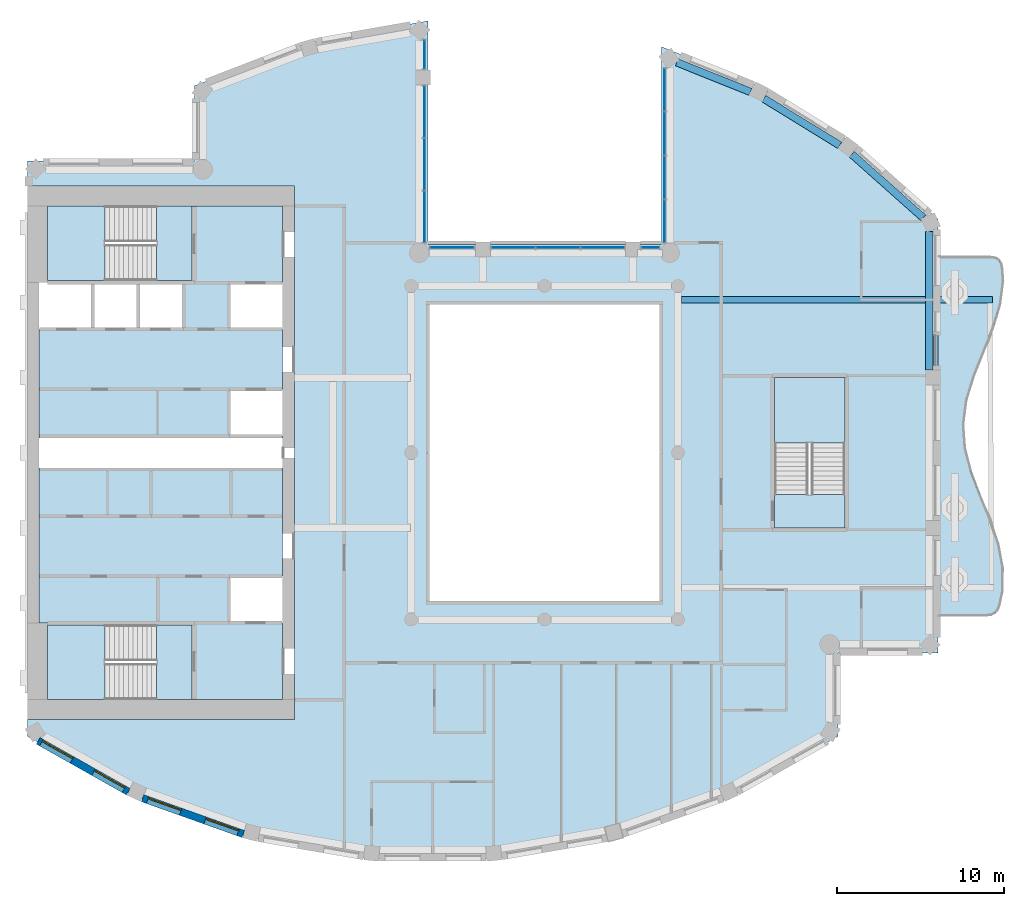
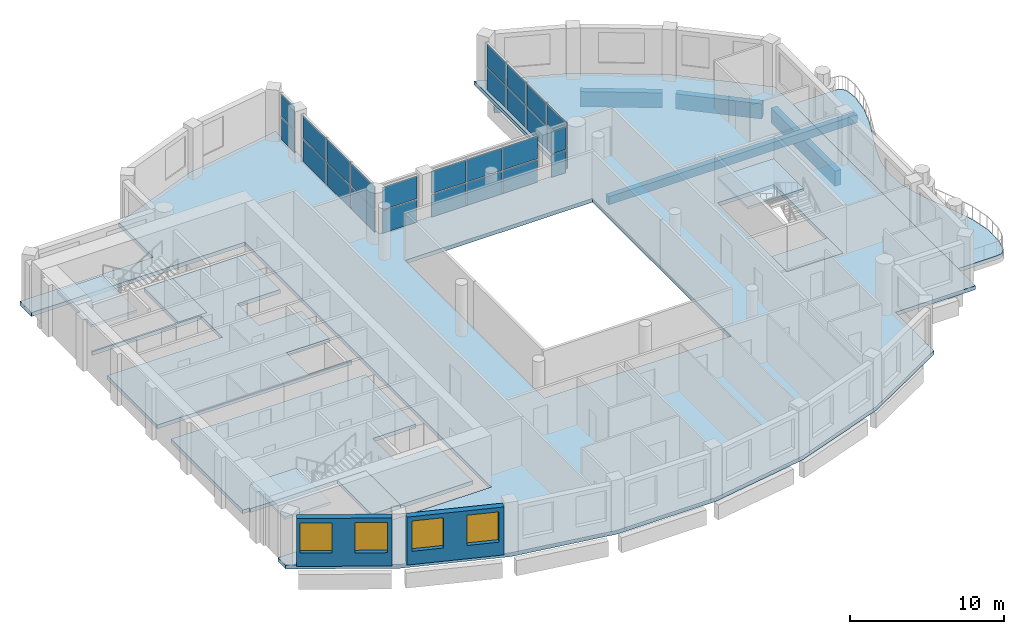
# One storey, part 3 of 15: 26 plates, 10 slabs, 5 beams, 4 windows, 2 walls, 4 openings, 9 elements without a shape of their own.
"""IFC4 building model written with IfcOpenShell, lengths in metres."""

from ifc_helpers import new_model, si_unit, direction, frame, frame_2d, origin, origin_2d, place, context, subcontext, project, spatial, polyline, rectangle, outline, extrude, material, layer, layer_set, material_profile, profile_set, type_object, element, fill, aggregate, save


model = new_model("IFC4")

# Units and contexts
model_context = context("Model", 3, precision=1e-05, world=origin(), true_north=direction((0.0, 1.0)))
body_context = subcontext(model_context, "Body", "Model", "MODEL_VIEW")
ifc_project = project(units=[si_unit("LENGTHUNIT", "METRE"), si_unit("AREAUNIT", "SQUARE_METRE"), si_unit("VOLUMEUNIT", "CUBIC_METRE"), si_unit("PLANEANGLEUNIT", "RADIAN"), si_unit("MASSUNIT", "GRAM", prefix="KILO")], contexts=[model_context])

# Site, building, storey
site_placement = place(None, origin())
site = spatial("IfcSite", under=ifc_project, at=site_placement, CompositionType="ELEMENT")
building_placement = place(site_placement, origin())
building = spatial("IfcBuilding", under=site, at=building_placement, Name="Cypress Arch Tower", CompositionType="ELEMENT")
storey_placement = place(building_placement, frame((0.0, 0.0, 317.199951171875)))
storey = spatial("IfcBuildingStorey", under=building, at=storey_placement, Name="L72", CompositionType="ELEMENT", Elevation=317.199951171875)

# Beams
ifc_material_1 = material(Name="Concrete C50/60", Category="concrete")
ifc_material_profile_1 = material_profile(ifc_material_1, rectangle(XDim=0.39990234375, YDim=0.64990234375, at=origin_2d()), Name="RC 400x650")
ifc_profile_set_1 = profile_set([ifc_material_profile_1], Name="Concrete C50/60")
beam_type_1 = type_object("IfcBeamType", Name="Cantilever beam RC 400x650 Concrete C50/60", PredefinedType="BEAM", material=ifc_profile_set_1)
beam_1_placement = place(storey_placement, frame((9.22509765625, 9.1826171875, -0.625), z_axis=(1.0, 0.0, 0.0), x_axis=(0.0, 1.0, 0.0)))
element("IfcBeam", 1, at=beam_1_placement, inside=storey, type_object=beam_type_1, Name="Cantilever beam L72 C17 2", PredefinedType="BEAM", context=body_context, shape_type="SweptSolid", body=[
    extrude(rectangle(XDim=0.39990234375, YDim=0.64990234375, at=origin_2d()), origin(), (0.0, 0.0, 1.0), 18.627197265625),
])
ifc_material_2 = material(Name="Concrete C50/60", Category="concrete")
ifc_material_profile_2 = material_profile(ifc_material_2, rectangle(XDim=0.449951171875, YDim=1.199951171875, at=origin_2d()), Name="RC 450x1200")
ifc_profile_set_2 = profile_set([ifc_material_profile_2], Name="Concrete C50/60")
beam_type_2 = type_object("IfcBeamType", Name="Spandrel beam RC 450x1200 Concrete C50/60", PredefinedType="SPANDREL", material=ifc_profile_set_2)
beam_2_placement = place(storey_placement, frame((24.074951171875, 4.949951171875, -1.550048828125), z_axis=(0.0, 1.0, 0.0), x_axis=(-1.0, 0.0, 0.0)))
element("IfcBeam", 2, at=beam_2_placement, inside=storey, type_object=beam_type_2, Name="Spandrel beam L72 BC17-2", PredefinedType="SPANDREL", context=body_context, shape_type="SweptSolid", body=[
    extrude(rectangle(XDim=0.449951171875, YDim=1.199951171875, at=origin_2d()), origin(), (0.0, 0.0, 1.0), 8.32080078125),
])
beam_3_placement = place(storey_placement, frame((23.706298828125, 14.091796875, -1.550048828125), z_axis=(-0.747555073917, 0.664199827959, 0.0), x_axis=(-0.664199827959, -0.747555073917, 0.0)))
element("IfcBeam", 3, at=beam_3_placement, inside=storey, type_object=beam_type_2, Name="Spandrel beam L72 BC18-0", PredefinedType="SPANDREL", context=body_context, shape_type="SweptSolid", body=[
    extrude(rectangle(XDim=0.449951171875, YDim=1.199951171875, at=origin_2d()), origin(), (0.0, 0.0, 1.0), 5.72900390625),
])
beam_4_placement = place(storey_placement, frame((18.700927734375, 18.43359375, -1.550048828125), z_axis=(-0.851880940975, 0.523735488966, 0.0), x_axis=(-0.523735488966, -0.851880940975, 0.0)))
element("IfcBeam", 4, at=beam_4_placement, inside=storey, type_object=beam_type_2, Name="Spandrel beam L72 BC19-0", PredefinedType="SPANDREL", context=body_context, shape_type="SweptSolid", body=[
    extrude(rectangle(XDim=0.449951171875, YDim=1.199951171875, at=origin_2d()), origin(), (0.0, 0.0, 1.0), 5.344970703125),
])
beam_5_placement = place(storey_placement, frame((13.343994140625, 21.6376953125, -1.550048828125), z_axis=(-0.927944947452, 0.372717284948, 0.0), x_axis=(-0.372717284948, -0.927944947452, 0.0)))
element("IfcBeam", 5, at=beam_5_placement, inside=storey, type_object=beam_type_2, Name="Spandrel beam L72 BC20-0", PredefinedType="SPANDREL", context=body_context, shape_type="SweptSolid", body=[
    extrude(rectangle(XDim=0.449951171875, YDim=1.199951171875, at=origin_2d()), origin(), (0.0, 0.0, 1.0), 4.758056640625),
])

# Slabs
ifc_material_3 = material(Name="Concrete C40/50", Category="concrete")
ifc_layer_1 = layer(ifc_material_3, 0.300048828125)
ifc_layer_set_1 = layer_set([ifc_layer_1], Name="Balcony slab BS300")
slab_type_1 = type_object("IfcSlabType", Name="Balcony slab BS300", PredefinedType="USERDEFINED", material=ifc_layer_set_1)
slab_1_placement = place(storey_placement, frame((0.0, 0.0, -0.300048828125)))
element("IfcSlab", 6, at=slab_1_placement, inside=storey, type_object=slab_type_1, Name="Balcony slab L72-C17", ObjectType="BALCONY SLAB", PredefinedType="USERDEFINED", context=body_context, shape_type="SweptSolid", body=[
    extrude(outline(polyline([(24.60009765625, -9.75), (27.4892578125, -9.75), (27.7861328125, -9.709716796875), (28.017822265625, -9.5888671875), (28.18408203125, -9.38720703125), (28.284912109375, -9.10498046875), (28.45166015625, -8.316650390625), (28.472412109375, -6.88330078125), (28.20556640625, -5.449951171875), (27.717041015625, -4.0166015625), (27.1259765625, -2.583251953125), (26.577880859375, -1.14990234375), (26.20654296875, 0.283447265625), (26.103515625, 1.716552734375), (26.293701171875, 3.14990234375), (26.73046875, 4.583251953125), (27.306884765625, 6.0166015625), (27.8818359375, 7.449951171875), (28.31396484375, 8.88330078125), (28.49755859375, 10.316650390625), (28.43701171875, 11.10498046875), (28.375, 11.38720703125), (28.23828125, 11.5888671875), (28.02685546875, 11.709716796875), (27.74072265625, 11.75), (24.60009765625, 11.75), (24.60009765625, -9.75)])), origin(), (0.0, 0.0, 1.0), 0.300048828125),
])
ifc_material_4 = material(Name="Concrete C40/50", Category="concrete")
ifc_layer_2 = layer(ifc_material_4, 0.300048828125)
ifc_layer_set_2 = layer_set([ifc_layer_2], Name="Core floor CF300")
slab_type_2 = type_object("IfcSlabType", Name="Core floor CF300", PredefinedType="FLOOR", material=ifc_layer_set_2)
slab_2_placement = place(storey_placement, frame((0.0, 0.0, -0.300048828125)))
element("IfcSlab", 7, at=slab_2_placement, inside=storey, type_object=slab_type_2, Name="Core floor", PredefinedType="FLOOR", context=body_context, shape_type="SweptSolid", body=[
    extrude(outline(polyline([(-28.89990234375, -10.199951171875), (-29.300048828125, -10.199951171875), (-29.300048828125, -0.89990234375), (-28.89990234375, -0.89990234375), (-15.10009765625, -0.89990234375), (-14.699951171875, -0.89990234375), (-14.699951171875, -7.39990234375), (-15.10009765625, -7.39990234375), (-17.919921875, -7.39990234375), (-17.919921875, -10.199951171875), (-15.10009765625, -10.199951171875), (-14.699951171875, -10.199951171875), (-14.699951171875, -14.800048828125), (-15.10009765625, -14.800048828125), (-20.125, -14.800048828125), (-20.125, -10.324951171875), (-22.27490234375, -10.324951171875), (-28.800048828125, -10.324951171875), (-28.800048828125, -10.199951171875), (-28.89990234375, -10.199951171875)])), origin(), (0.0, 0.0, 1.0), 0.300048828125),
])
slab_3_placement = place(storey_placement, frame((0.0, 0.0, -0.300048828125)))
element("IfcSlab", 8, at=slab_3_placement, inside=storey, type_object=slab_type_2, Name="Core floor", PredefinedType="FLOOR", context=body_context, shape_type="SweptSolid", body=[
    extrude(outline(polyline([(-22.27490234375, -10.324951171875), (-22.27490234375, -14.800048828125), (-20.125, -14.800048828125), (-20.125, -10.324951171875), (-22.27490234375, -10.324951171875)])), origin(), (0.0, 0.0, 1.0), 0.300048828125),
])
slab_4_placement = place(storey_placement, frame((0.0, 0.0, -0.300048828125)))
element("IfcSlab", 9, at=slab_4_placement, inside=storey, type_object=slab_type_2, Name="Core floor", PredefinedType="FLOOR", context=body_context, shape_type="SweptSolid", body=[
    extrude(outline(polyline([(-20.125, 14.800048828125), (-22.27490234375, 14.800048828125), (-22.27490234375, 10.324951171875), (-20.125, 10.324951171875), (-20.125, 14.800048828125)])), origin(), (0.0, 0.0, 1.0), 0.300048828125),
])
slab_5_placement = place(storey_placement, frame((0.0, 0.0, -0.300048828125)))
element("IfcSlab", 10, at=slab_5_placement, inside=storey, type_object=slab_type_2, Name="Stair floor landing", PredefinedType="FLOOR", context=body_context, shape_type="SweptSolid", body=[
    extrude(outline(polyline([(19.0, -4.5), (19.0, -2.5), (14.800048828125, -2.5), (14.800048828125, -4.5), (19.0, -4.5)])), origin(), (0.0, 0.0, 1.0), 0.300048828125),
])
slab_6_placement = place(storey_placement, frame((0.0, 0.0, -0.300048828125)))
element("IfcSlab", 11, at=slab_6_placement, inside=storey, type_object=slab_type_2, Name="Core floor", PredefinedType="FLOOR", context=body_context, shape_type="SweptSolid", body=[
    extrude(outline(polyline([(-20.639892578125, 10.199951171875), (-23.360107421875, 10.199951171875), (-26.080078125, 10.199951171875), (-28.800048828125, 10.199951171875), (-28.800048828125, 10.324951171875), (-22.27490234375, 10.324951171875), (-20.125, 10.324951171875), (-20.125, 14.800048828125), (-15.10009765625, 14.800048828125), (-14.699951171875, 14.800048828125), (-14.699951171875, 10.199951171875), (-15.10009765625, 10.199951171875), (-17.919921875, 10.199951171875), (-17.919921875, 7.39990234375), (-15.10009765625, 7.39990234375), (-14.699951171875, 7.39990234375), (-14.699951171875, 3.800048828125), (-15.10009765625, 3.800048828125), (-17.919921875, 3.800048828125), (-17.919921875, 1.5), (-17.919921875, 1.0), (-17.5, 1.0), (-15.10009765625, 1.0), (-14.699951171875, 1.0), (-14.699951171875, 0.89990234375), (-15.10009765625, 0.89990234375), (-17.5, 0.89990234375), (-18.300048828125, 0.89990234375), (-28.89990234375, 0.89990234375), (-29.300048828125, 0.89990234375), (-29.300048828125, 1.5), (-29.300048828125, 7.39990234375), (-28.89990234375, 7.39990234375), (-26.080078125, 7.39990234375), (-23.360107421875, 7.39990234375), (-20.639892578125, 7.39990234375), (-20.639892578125, 10.199951171875)])), origin(), (0.0, 0.0, 1.0), 0.300048828125),
])

# Curtain wall, plates
ifc_material_5 = material(Name="Anodised aluminium, bronze finish, clear laminated double glazing", Category="aluminium")
curtain_wall_type = type_object("IfcCurtainWallType", Name="Curtain wall CW7 slot glazing", PredefinedType="NOTDEFINED", material=ifc_material_5)
curtain_wall_1_placement = place(storey_placement, origin())
curtain_wall_1 = element("IfcCurtainWall", 12, at=curtain_wall_1_placement, inside=storey, type_object=curtain_wall_type, Name="Curtain wall L72 slot C00.0", PredefinedType="NOTDEFINED")
ifc_material_6 = material(Name="Clear laminated double glazing", Category="glass")
ifc_layer_3 = layer(ifc_material_6, 0.0439453125)
ifc_layer_set_3 = layer_set([ifc_layer_3], Name="Glass panel CW7 44")
plate_type = type_object("IfcPlateType", Name="Glass panel CW7 44", PredefinedType="CURTAIN_PANEL", material=ifc_layer_set_3)
plate_1_placement = place(storey_placement, frame((8.199951171875, 21.76220703125, 0.0849609375), z_axis=(0.0, 0.0, 1.0), x_axis=(0.0, -1.0, 0.0)))
plate_1 = element("IfcPlate", 13, at=plate_1_placement, type_object=plate_type, Name="CW7 panel 1.1", PredefinedType="CURTAIN_PANEL", context=body_context, shape_type="SweptSolid", body=[
    extrude(rectangle(XDim=2.510986328125, YDim=0.0439453125, at=origin_2d()), origin(), (0.0, 0.0, 1.0), 1.7724609375),
])
plate_2_placement = place(storey_placement, frame((8.199951171875, 21.76220703125, 1.942626953125), z_axis=(0.0, 0.0, 1.0), x_axis=(0.0, -1.0, 0.0)))
plate_2 = element("IfcPlate", 14, at=plate_2_placement, type_object=plate_type, Name="CW7 panel 1.2", PredefinedType="CURTAIN_PANEL", context=body_context, shape_type="SweptSolid", body=[
    extrude(rectangle(XDim=2.510986328125, YDim=0.0439453125, at=origin_2d()), origin(), (0.0, 0.0, 1.0), 1.7724609375),
])
plate_3_placement = place(storey_placement, frame((8.199951171875, 19.144775390625, 0.0849609375), z_axis=(0.0, 0.0, 1.0), x_axis=(0.0, -1.0, 0.0)))
plate_3 = element("IfcPlate", 15, at=plate_3_placement, type_object=plate_type, Name="CW7 panel 2.1", PredefinedType="CURTAIN_PANEL", context=body_context, shape_type="SweptSolid", body=[
    extrude(rectangle(XDim=2.553466796875, YDim=0.0439453125, at=origin_2d()), origin(), (0.0, 0.0, 1.0), 1.7724609375),
])
plate_4_placement = place(storey_placement, frame((8.199951171875, 19.144775390625, 1.942626953125), z_axis=(0.0, 0.0, 1.0), x_axis=(0.0, -1.0, 0.0)))
plate_4 = element("IfcPlate", 16, at=plate_4_placement, type_object=plate_type, Name="CW7 panel 2.2", PredefinedType="CURTAIN_PANEL", context=body_context, shape_type="SweptSolid", body=[
    extrude(rectangle(XDim=2.553466796875, YDim=0.0439453125, at=origin_2d()), origin(), (0.0, 0.0, 1.0), 1.7724609375),
])
plate_5_placement = place(storey_placement, frame((8.199951171875, 16.50634765625, 0.0849609375), z_axis=(0.0, 0.0, 1.0), x_axis=(0.0, -1.0, 0.0)))
plate_5 = element("IfcPlate", 17, at=plate_5_placement, type_object=plate_type, Name="CW7 panel 3.1", PredefinedType="CURTAIN_PANEL", context=body_context, shape_type="SweptSolid", body=[
    extrude(rectangle(XDim=2.553466796875, YDim=0.0439453125, at=origin_2d()), origin(), (0.0, 0.0, 1.0), 1.7724609375),
])
plate_6_placement = place(storey_placement, frame((8.199951171875, 16.50634765625, 1.942626953125), z_axis=(0.0, 0.0, 1.0), x_axis=(0.0, -1.0, 0.0)))
plate_6 = element("IfcPlate", 18, at=plate_6_placement, type_object=plate_type, Name="CW7 panel 3.2", PredefinedType="CURTAIN_PANEL", context=body_context, shape_type="SweptSolid", body=[
    extrude(rectangle(XDim=2.553466796875, YDim=0.0439453125, at=origin_2d()), origin(), (0.0, 0.0, 1.0), 1.7724609375),
])
plate_7_placement = place(storey_placement, frame((8.199951171875, 13.888916015625, 0.0849609375), z_axis=(0.0, 0.0, 1.0), x_axis=(0.0, -1.0, 0.0)))
plate_7 = element("IfcPlate", 19, at=plate_7_placement, type_object=plate_type, Name="CW7 panel 4.1", PredefinedType="CURTAIN_PANEL", context=body_context, shape_type="SweptSolid", body=[
    extrude(rectangle(XDim=2.510986328125, YDim=0.0439453125, at=origin_2d()), origin(), (0.0, 0.0, 1.0), 1.7724609375),
])
plate_8_placement = place(storey_placement, frame((8.199951171875, 13.888916015625, 1.942626953125), z_axis=(0.0, 0.0, 1.0), x_axis=(0.0, -1.0, 0.0)))
plate_8 = element("IfcPlate", 20, at=plate_8_placement, type_object=plate_type, Name="CW7 panel 4.2", PredefinedType="CURTAIN_PANEL", context=body_context, shape_type="SweptSolid", body=[
    extrude(rectangle(XDim=2.510986328125, YDim=0.0439453125, at=origin_2d()), origin(), (0.0, 0.0, 1.0), 1.7724609375),
])
aggregate(curtain_wall_1, [plate_1, plate_2, plate_3, plate_4, plate_5, plate_6, plate_7, plate_8])

curtain_wall_2_placement = place(storey_placement, origin())
curtain_wall_2 = element("IfcCurtainWall", 21, at=curtain_wall_2_placement, inside=storey, type_object=curtain_wall_type, Name="Curtain wall L72 slot C01.0", PredefinedType="NOTDEFINED")
plate_9_placement = place(storey_placement, frame((7.350830078125, 12.300048828125, 0.0849609375), z_axis=(0.0, 0.0, 1.0), x_axis=(-1.0, 0.0, 0.0)))
plate_9 = element("IfcPlate", 22, at=plate_9_placement, type_object=plate_type, Name="CW7 panel 1.1", PredefinedType="CURTAIN_PANEL", context=body_context, shape_type="SweptSolid", body=[
    extrude(rectangle(XDim=1.031494140625, YDim=0.0439453125, at=origin_2d()), origin(), (0.0, 0.0, 1.0), 1.7724609375),
])
plate_10_placement = place(storey_placement, frame((7.350830078125, 12.300048828125, 1.942626953125), z_axis=(0.0, 0.0, 1.0), x_axis=(-1.0, 0.0, 0.0)))
plate_10 = element("IfcPlate", 23, at=plate_10_placement, type_object=plate_type, Name="CW7 panel 1.2", PredefinedType="CURTAIN_PANEL", context=body_context, shape_type="SweptSolid", body=[
    extrude(rectangle(XDim=1.031494140625, YDim=0.0439453125, at=origin_2d()), origin(), (0.0, 0.0, 1.0), 1.7724609375),
])
aggregate(curtain_wall_2, [plate_9, plate_10])

curtain_wall_3_placement = place(storey_placement, origin())
curtain_wall_3 = element("IfcCurtainWall", 24, at=curtain_wall_3_placement, inside=storey, type_object=curtain_wall_type, Name="Curtain wall L72 slot C01.1", PredefinedType="NOTDEFINED")
plate_11_placement = place(storey_placement, frame((4.478759765625, 12.300048828125, 0.0849609375), z_axis=(0.0, 0.0, 1.0), x_axis=(-1.0, 0.0, 0.0)))
plate_11 = element("IfcPlate", 25, at=plate_11_placement, type_object=plate_type, Name="CW7 panel 1.1", PredefinedType="CURTAIN_PANEL", context=body_context, shape_type="SweptSolid", body=[
    extrude(rectangle(XDim=2.572509765625, YDim=0.0439453125, at=origin_2d()), origin(), (0.0, 0.0, 1.0), 1.7724609375),
])
plate_12_placement = place(storey_placement, frame((4.478759765625, 12.300048828125, 1.942626953125), z_axis=(0.0, 0.0, 1.0), x_axis=(-1.0, 0.0, 0.0)))
plate_12 = element("IfcPlate", 26, at=plate_12_placement, type_object=plate_type, Name="CW7 panel 1.2", PredefinedType="CURTAIN_PANEL", context=body_context, shape_type="SweptSolid", body=[
    extrude(rectangle(XDim=2.572509765625, YDim=0.0439453125, at=origin_2d()), origin(), (0.0, 0.0, 1.0), 1.7724609375),
])
plate_13_placement = place(storey_placement, frame((1.800048828125, 12.300048828125, 0.0849609375), z_axis=(0.0, 0.0, 1.0), x_axis=(-1.0, 0.0, 0.0)))
plate_13 = element("IfcPlate", 27, at=plate_13_placement, type_object=plate_type, Name="CW7 panel 2.1", PredefinedType="CURTAIN_PANEL", context=body_context, shape_type="SweptSolid", body=[
    extrude(rectangle(XDim=2.614990234375, YDim=0.0439453125, at=origin_2d()), origin(), (0.0, 0.0, 1.0), 1.7724609375),
])
plate_14_placement = place(storey_placement, frame((1.800048828125, 12.300048828125, 1.942626953125), z_axis=(0.0, 0.0, 1.0), x_axis=(-1.0, 0.0, 0.0)))
plate_14 = element("IfcPlate", 28, at=plate_14_placement, type_object=plate_type, Name="CW7 panel 2.2", PredefinedType="CURTAIN_PANEL", context=body_context, shape_type="SweptSolid", body=[
    extrude(rectangle(XDim=2.614990234375, YDim=0.0439453125, at=origin_2d()), origin(), (0.0, 0.0, 1.0), 1.7724609375),
])
plate_15_placement = place(storey_placement, frame((-0.878662109375, 12.300048828125, 0.0849609375), z_axis=(0.0, 0.0, 1.0), x_axis=(-1.0, 0.0, 0.0)))
plate_15 = element("IfcPlate", 29, at=plate_15_placement, type_object=plate_type, Name="CW7 panel 3.1", PredefinedType="CURTAIN_PANEL", context=body_context, shape_type="SweptSolid", body=[
    extrude(rectangle(XDim=2.572509765625, YDim=0.0439453125, at=origin_2d()), origin(), (0.0, 0.0, 1.0), 1.7724609375),
])
plate_16_placement = place(storey_placement, frame((-0.878662109375, 12.300048828125, 1.942626953125), z_axis=(0.0, 0.0, 1.0), x_axis=(-1.0, 0.0, 0.0)))
plate_16 = element("IfcPlate", 30, at=plate_16_placement, type_object=plate_type, Name="CW7 panel 3.2", PredefinedType="CURTAIN_PANEL", context=body_context, shape_type="SweptSolid", body=[
    extrude(rectangle(XDim=2.572509765625, YDim=0.0439453125, at=origin_2d()), origin(), (0.0, 0.0, 1.0), 1.7724609375),
])
aggregate(curtain_wall_3, [plate_11, plate_12, plate_13, plate_14, plate_15, plate_16])

curtain_wall_4_placement = place(storey_placement, origin())
curtain_wall_4 = element("IfcCurtainWall", 31, at=curtain_wall_4_placement, inside=storey, type_object=curtain_wall_type, Name="Curtain wall L72 slot C01.2", PredefinedType="NOTDEFINED")
plate_17_placement = place(storey_placement, frame((-4.55078125, 12.300048828125, 0.0849609375), z_axis=(0.0, 0.0, 1.0), x_axis=(-1.0, 0.0, 0.0)))
plate_17 = element("IfcPlate", 32, at=plate_17_placement, type_object=plate_type, Name="CW7 panel 1.1", PredefinedType="CURTAIN_PANEL", context=body_context, shape_type="SweptSolid", body=[
    extrude(rectangle(XDim=2.631591796875, YDim=0.0439453125, at=origin_2d()), origin(), (0.0, 0.0, 1.0), 1.7724609375),
])
plate_18_placement = place(storey_placement, frame((-4.55078125, 12.300048828125, 1.942626953125), z_axis=(0.0, 0.0, 1.0), x_axis=(-1.0, 0.0, 0.0)))
plate_18 = element("IfcPlate", 33, at=plate_18_placement, type_object=plate_type, Name="CW7 panel 1.2", PredefinedType="CURTAIN_PANEL", context=body_context, shape_type="SweptSolid", body=[
    extrude(rectangle(XDim=2.631591796875, YDim=0.0439453125, at=origin_2d()), origin(), (0.0, 0.0, 1.0), 1.7724609375),
])
aggregate(curtain_wall_4, [plate_17, plate_18])

curtain_wall_5_placement = place(storey_placement, origin())
curtain_wall_5 = element("IfcCurtainWall", 34, at=curtain_wall_5_placement, inside=storey, type_object=curtain_wall_type, Name="Curtain wall L72 slot C02.0", PredefinedType="NOTDEFINED")
plate_19_placement = place(storey_placement, frame((-6.199951171875, 14.1533203125, 0.0849609375), z_axis=(0.0, 0.0, 1.0), x_axis=(0.0, 1.0, 0.0)))
plate_19 = element("IfcPlate", 35, at=plate_19_placement, type_object=plate_type, Name="CW7 panel 1.1", PredefinedType="CURTAIN_PANEL", context=body_context, shape_type="SweptSolid", body=[
    extrude(rectangle(XDim=3.039794921875, YDim=0.0439453125, at=origin_2d()), origin(), (0.0, 0.0, 1.0), 1.7724609375),
])
plate_20_placement = place(storey_placement, frame((-6.199951171875, 14.1533203125, 1.942626953125), z_axis=(0.0, 0.0, 1.0), x_axis=(0.0, 1.0, 0.0)))
plate_20 = element("IfcPlate", 36, at=plate_20_placement, type_object=plate_type, Name="CW7 panel 1.2", PredefinedType="CURTAIN_PANEL", context=body_context, shape_type="SweptSolid", body=[
    extrude(rectangle(XDim=3.039794921875, YDim=0.0439453125, at=origin_2d()), origin(), (0.0, 0.0, 1.0), 1.7724609375),
])
plate_21_placement = place(storey_placement, frame((-6.199951171875, 17.29931640625, 0.0849609375), z_axis=(0.0, 0.0, 1.0), x_axis=(0.0, 1.0, 0.0)))
plate_21 = element("IfcPlate", 37, at=plate_21_placement, type_object=plate_type, Name="CW7 panel 2.1", PredefinedType="CURTAIN_PANEL", context=body_context, shape_type="SweptSolid", body=[
    extrude(rectangle(XDim=3.082275390625, YDim=0.0439453125, at=origin_2d()), origin(), (0.0, 0.0, 1.0), 1.7724609375),
])
plate_22_placement = place(storey_placement, frame((-6.199951171875, 17.29931640625, 1.942626953125), z_axis=(0.0, 0.0, 1.0), x_axis=(0.0, 1.0, 0.0)))
plate_22 = element("IfcPlate", 38, at=plate_22_placement, type_object=plate_type, Name="CW7 panel 2.2", PredefinedType="CURTAIN_PANEL", context=body_context, shape_type="SweptSolid", body=[
    extrude(rectangle(XDim=3.082275390625, YDim=0.0439453125, at=origin_2d()), origin(), (0.0, 0.0, 1.0), 1.7724609375),
])
plate_23_placement = place(storey_placement, frame((-6.199951171875, 20.445068359375, 0.0849609375), z_axis=(0.0, 0.0, 1.0), x_axis=(0.0, 1.0, 0.0)))
plate_23 = element("IfcPlate", 39, at=plate_23_placement, type_object=plate_type, Name="CW7 panel 3.1", PredefinedType="CURTAIN_PANEL", context=body_context, shape_type="SweptSolid", body=[
    extrude(rectangle(XDim=3.039794921875, YDim=0.0439453125, at=origin_2d()), origin(), (0.0, 0.0, 1.0), 1.7724609375),
])
plate_24_placement = place(storey_placement, frame((-6.199951171875, 20.445068359375, 1.942626953125), z_axis=(0.0, 0.0, 1.0), x_axis=(0.0, 1.0, 0.0)))
plate_24 = element("IfcPlate", 40, at=plate_24_placement, type_object=plate_type, Name="CW7 panel 3.2", PredefinedType="CURTAIN_PANEL", context=body_context, shape_type="SweptSolid", body=[
    extrude(rectangle(XDim=3.039794921875, YDim=0.0439453125, at=origin_2d()), origin(), (0.0, 0.0, 1.0), 1.7724609375),
])
aggregate(curtain_wall_5, [plate_19, plate_20, plate_21, plate_22, plate_23, plate_24])

curtain_wall_6_placement = place(storey_placement, origin())
curtain_wall_6 = element("IfcCurtainWall", 41, at=curtain_wall_6_placement, inside=storey, type_object=curtain_wall_type, Name="Curtain wall L72 slot C02.1", PredefinedType="NOTDEFINED")
plate_25_placement = place(storey_placement, frame((-6.199951171875, 23.89111328125, 0.0849609375), z_axis=(0.0, 0.0, 1.0), x_axis=(0.0, 1.0, 0.0)))
plate_25 = element("IfcPlate", 42, at=plate_25_placement, type_object=plate_type, Name="CW7 panel 1.1", PredefinedType="CURTAIN_PANEL", context=body_context, shape_type="SweptSolid", body=[
    extrude(rectangle(XDim=1.71240234375, YDim=0.0439453125, at=origin_2d()), origin(), (0.0, 0.0, 1.0), 1.7724609375),
])
plate_26_placement = place(storey_placement, frame((-6.199951171875, 23.89111328125, 1.942626953125), z_axis=(0.0, 0.0, 1.0), x_axis=(0.0, 1.0, 0.0)))
plate_26 = element("IfcPlate", 43, at=plate_26_placement, type_object=plate_type, Name="CW7 panel 1.2", PredefinedType="CURTAIN_PANEL", context=body_context, shape_type="SweptSolid", body=[
    extrude(rectangle(XDim=1.71240234375, YDim=0.0439453125, at=origin_2d()), origin(), (0.0, 0.0, 1.0), 1.7724609375),
])
aggregate(curtain_wall_6, [plate_25, plate_26])

# Slab
ifc_material_7 = material(Name="Concrete C40/50", Category="concrete")
ifc_layer_4 = layer(ifc_material_7, 0.300048828125)
ifc_layer_set_4 = layer_set([ifc_layer_4], Name="PT flat slab 300 Concrete C40/50")
slab_type_3 = type_object("IfcSlabType", Name="PT flat slab 300 Concrete C40/50", PredefinedType="FLOOR", material=ifc_layer_set_4)
slab_7_placement = place(storey_placement, frame((0.0, 0.0, -0.300048828125)))
element("IfcSlab", 44, at=slab_7_placement, inside=storey, type_object=slab_type_3, Name="Floor slab L72", PredefinedType="FLOOR", context=body_context, shape_type="SweptSolid", body=[
    extrude(outline(polyline([(-30.0, 17.5), (-20.0, 17.5), (-20.0, 22.0), (-13.199951171875, 24.6201171875), (-6.0, 25.889892578125), (-6.0, 12.5), (8.0, 12.5), (8.0, 24.35009765625), (14.0, 21.93994140625), (19.39990234375, 18.6201171875), (24.60009765625, 14.0), (24.60009765625, -12.0), (18.60009765625, -12.0), (18.60009765625, -17.0), (12.179931640625, -20.6201171875), (5.239990234375, -23.090087890625), (-2.02001953125, -24.340087890625), (-9.3798828125, -24.340087890625), (-16.639892578125, -23.090087890625), (-23.580078125, -20.6201171875), (-30.0, -17.0), (-30.0, -16.0), (-14.0, -16.0), (-14.0, 16.0), (-30.0, 16.0), (-30.0, 17.5)]), holes=[polyline([(-6.0, -9.0), (8.0, -9.0), (8.0, 9.0), (-6.0, 9.0), (-6.0, -9.0)]), polyline([(14.800048828125, -4.5), (19.0, -4.5), (19.0, 4.5), (14.800048828125, 4.5), (14.800048828125, -4.5)])]), origin(), (0.0, 0.0, 1.0), 0.300048828125),
])

# Stair, slab
ifc_material_8 = material(Name="Concrete C40/50", Category="concrete")
stair_type_1 = type_object("IfcStairType", Name="Exit stair ES1708-215", PredefinedType="HALF_TURN_STAIR", material=ifc_material_8)
stair_1_placement = place(storey_placement, origin())
stair_1 = element("IfcStair", 45, at=stair_1_placement, inside=storey, type_object=stair_type_1, Name="L72 Exit stair A", PredefinedType="HALF_TURN_STAIR")
ifc_material_9 = material(Name="Concrete C40/50", Category="concrete")
ifc_layer_5 = layer(ifc_material_9, 0.199951171875)
ifc_layer_set_5 = layer_set([ifc_layer_5], Name="Stair landing SL200")
slab_type_4 = type_object("IfcSlabType", Name="Stair landing SL200", PredefinedType="LANDING", material=ifc_layer_set_5)
slab_8_placement = place(storey_placement, frame((0.0, 0.0, 1.85009765625)))
slab_8 = element("IfcSlab", 46, at=slab_8_placement, type_object=slab_type_4, Name="A landing 1", PredefinedType="LANDING", context=body_context, shape_type="SweptSolid", body=[
    extrude(outline(polyline([(-25.35498046875, -10.324951171875), (-28.800048828125, -10.324951171875), (-28.800048828125, -14.800048828125), (-25.35498046875, -14.800048828125), (-25.35498046875, -10.324951171875)])), origin(), (0.0, 0.0, 1.0), 0.199951171875),
])
aggregate(stair_1, [slab_8])

stair_2_placement = place(storey_placement, origin())
stair_2 = element("IfcStair", 47, at=stair_2_placement, inside=storey, type_object=stair_type_1, Name="L72 Exit stair B", PredefinedType="HALF_TURN_STAIR")
slab_9_placement = place(storey_placement, frame((0.0, 0.0, 1.85009765625)))
slab_9 = element("IfcSlab", 48, at=slab_9_placement, type_object=slab_type_4, Name="B landing 1", PredefinedType="LANDING", context=body_context, shape_type="SweptSolid", body=[
    extrude(outline(polyline([(-25.35498046875, 14.800048828125), (-28.800048828125, 14.800048828125), (-28.800048828125, 10.324951171875), (-25.35498046875, 10.324951171875), (-25.35498046875, 14.800048828125)])), origin(), (0.0, 0.0, 1.0), 0.199951171875),
])
aggregate(stair_2, [slab_9])

ifc_material_10 = material(Name="Concrete C40/50", Category="concrete")
stair_type_2 = type_object("IfcStairType", Name="Exit stair ES1708-200", PredefinedType="HALF_TURN_STAIR", material=ifc_material_10)
stair_3_placement = place(storey_placement, origin())
stair_3 = element("IfcStair", 49, at=stair_3_placement, inside=storey, type_object=stair_type_2, Name="L72 Exit stair C", PredefinedType="HALF_TURN_STAIR")
slab_10_placement = place(storey_placement, frame((0.0, 0.0, 1.85009765625)))
slab_10 = element("IfcSlab", 50, at=slab_10_placement, type_object=slab_type_4, Name="C landing 1", PredefinedType="LANDING", context=body_context, shape_type="SweptSolid", body=[
    extrude(outline(polyline([(19.0, 0.580078125), (19.0, 4.5), (14.800048828125, 4.5), (14.800048828125, 0.580078125), (19.0, 0.580078125)])), origin(), (0.0, 0.0, 1.0), 0.199951171875),
])
aggregate(stair_3, [slab_10])

# Wall, openings, windows
ifc_material_11 = material(Name="Brick (red buff blend)", Category="masonry")
ifc_layer_6 = layer(ifc_material_11, 0.449951171875)
ifc_layer_set_6 = layer_set([ifc_layer_6], Name="Brick pier and spandrel wall BW450")
wall_type = type_object("IfcWallType", Name="Brick pier and spandrel wall BW450", PredefinedType="SOLIDWALL", material=ifc_layer_set_6)
wall_1_placement = place(storey_placement, frame((-29.3564453125, -17.276611328125, 0.0), z_axis=(0.0, 0.0, 1.0), x_axis=(0.871065783524, -0.491166367714, 0.0)))
wall_1 = element("IfcWall", 51, at=wall_1_placement, inside=storey, type_object=wall_type, Name="Brick wall L72 C08.0", PredefinedType="SOLIDWALL", context=body_context, shape_type="SweptSolid", body=[
    extrude(rectangle(XDim=6.1962890625, YDim=0.449951171875, at=frame_2d((3.09814453125, 0.0))), origin(), (0.0, 0.0, 1.0), 3.800048828125),
])
opening_1_placement = place(wall_1_placement, frame((0.22119140625, 0.0, 1.050048828125)))
opening_1 = element("IfcOpeningElement", 52, at=opening_1_placement, cuts=wall_1, Name="Opening W210O", PredefinedType="OPENING", context=body_context, shape_type="SweptSolid", body=[
    extrude(rectangle(XDim=2.10009765625, YDim=2.39990234375, at=frame_2d((1.050048828125, 1.199951171875))), frame((0.0, 0.23486328125, 0.0), z_axis=(0.0, -1.0, 0.0), x_axis=(1.0, 0.0, 0.0)), (0.0, 0.0, 1.0), 0.469970703125),
])
opening_2_placement = place(wall_1_placement, frame((3.8056640625, 0.0, 1.050048828125)))
opening_2 = element("IfcOpeningElement", 53, at=opening_2_placement, cuts=wall_1, Name="Opening W210O", PredefinedType="OPENING", context=body_context, shape_type="SweptSolid", body=[
    extrude(rectangle(XDim=2.10009765625, YDim=2.39990234375, at=frame_2d((1.050048828125, 1.199951171875))), frame((0.0, 0.23486328125, 0.0), z_axis=(0.0, -1.0, 0.0), x_axis=(1.0, 0.0, 0.0)), (0.0, 0.0, 1.0), 0.469970703125),
])
ifc_material_12 = material(Name="Anodised aluminium, bronze finish, clear low-emissivity double glazing", Category="aluminium")
window_type = type_object("IfcWindowType", Name="Window Office 2100x2400", PartitioningType="SINGLE_PANEL", PredefinedType="WINDOW", material=ifc_material_12)
window_1_placement = place(opening_1_placement, origin())
window_1 = element("IfcWindow", 54, at=window_1_placement, inside=storey, type_object=window_type, Name="Window L72 C08.0.1", OverallHeight=2.39990234375, OverallWidth=2.10009765625, PartitioningType="SINGLE_PANEL", PredefinedType="WINDOW", context=body_context, shape_type="SweptSolid", body=[
    extrude(rectangle(XDim=2.10009765625, YDim=2.39990234375, at=frame_2d((1.050048828125, 1.199951171875))), frame((0.0, 0.135009765625, 0.0), z_axis=(0.0, -1.0, 0.0), x_axis=(1.0, 0.0, 0.0)), (0.0, 0.0, 1.0), 0.06005859375),
])
fill(opening_1, window_1)
window_2_placement = place(opening_2_placement, origin())
window_2 = element("IfcWindow", 55, at=window_2_placement, inside=storey, type_object=window_type, Name="Window L72 C08.0.2", OverallHeight=2.39990234375, OverallWidth=2.10009765625, PartitioningType="SINGLE_PANEL", PredefinedType="WINDOW", context=body_context, shape_type="SweptSolid", body=[
    extrude(rectangle(XDim=2.10009765625, YDim=2.39990234375, at=frame_2d((1.050048828125, 1.199951171875))), frame((0.0, 0.135009765625, 0.0), z_axis=(0.0, -1.0, 0.0), x_axis=(1.0, 0.0, 0.0)), (0.0, 0.0, 1.0), 0.06005859375),
])
fill(opening_2, window_2)

wall_2_placement = place(storey_placement, frame((-23.10498046875, -20.70947265625, 0.0), z_axis=(0.0, 0.0, 1.0), x_axis=(0.942104058931, -0.335320655711, 0.0)))
wall_2 = element("IfcWall", 56, at=wall_2_placement, inside=storey, type_object=wall_type, Name="Brick wall L72 C09.0", PredefinedType="SOLIDWALL", context=body_context, shape_type="SweptSolid", body=[
    extrude(rectangle(XDim=6.411376953125, YDim=0.449951171875, at=frame_2d((3.20556640625, 0.0))), origin(), (0.0, 0.0, 1.0), 3.800048828125),
])
opening_3_placement = place(wall_2_placement, frame((0.3271484375, 0.0, 1.050048828125)))
opening_3 = element("IfcOpeningElement", 57, at=opening_3_placement, cuts=wall_2, Name="Opening W210O", PredefinedType="OPENING", context=body_context, shape_type="SweptSolid", body=[
    extrude(rectangle(XDim=2.10009765625, YDim=2.39990234375, at=frame_2d((1.050048828125, 1.199951171875))), frame((0.0, 0.23486328125, 0.0), z_axis=(0.0, -1.0, 0.0), x_axis=(1.0, 0.0, 0.0)), (0.0, 0.0, 1.0), 0.469970703125),
])
opening_4_placement = place(wall_2_placement, frame((3.984619140625, 0.0, 1.050048828125)))
opening_4 = element("IfcOpeningElement", 58, at=opening_4_placement, cuts=wall_2, Name="Opening W210O", PredefinedType="OPENING", context=body_context, shape_type="SweptSolid", body=[
    extrude(rectangle(XDim=2.10009765625, YDim=2.39990234375, at=frame_2d((1.050048828125, 1.199951171875))), frame((0.0, 0.23486328125, 0.0), z_axis=(0.0, -1.0, 0.0), x_axis=(1.0, 0.0, 0.0)), (0.0, 0.0, 1.0), 0.469970703125),
])
window_3_placement = place(opening_3_placement, origin())
window_3 = element("IfcWindow", 59, at=window_3_placement, inside=storey, type_object=window_type, Name="Window L72 C09.0.1", OverallHeight=2.39990234375, OverallWidth=2.10009765625, PartitioningType="SINGLE_PANEL", PredefinedType="WINDOW", context=body_context, shape_type="SweptSolid", body=[
    extrude(rectangle(XDim=2.10009765625, YDim=2.39990234375, at=frame_2d((1.050048828125, 1.199951171875))), frame((0.0, 0.135009765625, 0.0), z_axis=(0.0, -1.0, 0.0), x_axis=(1.0, 0.0, 0.0)), (0.0, 0.0, 1.0), 0.06005859375),
])
fill(opening_3, window_3)
window_4_placement = place(opening_4_placement, origin())
window_4 = element("IfcWindow", 60, at=window_4_placement, inside=storey, type_object=window_type, Name="Window L72 C09.0.2", OverallHeight=2.39990234375, OverallWidth=2.10009765625, PartitioningType="SINGLE_PANEL", PredefinedType="WINDOW", context=body_context, shape_type="SweptSolid", body=[
    extrude(rectangle(XDim=2.10009765625, YDim=2.39990234375, at=frame_2d((1.050048828125, 1.199951171875))), frame((0.0, 0.135009765625, 0.0), z_axis=(0.0, -1.0, 0.0), x_axis=(1.0, 0.0, 0.0)), (0.0, 0.0, 1.0), 0.06005859375),
])
fill(opening_4, window_4)

save(model, "model.ifc")
